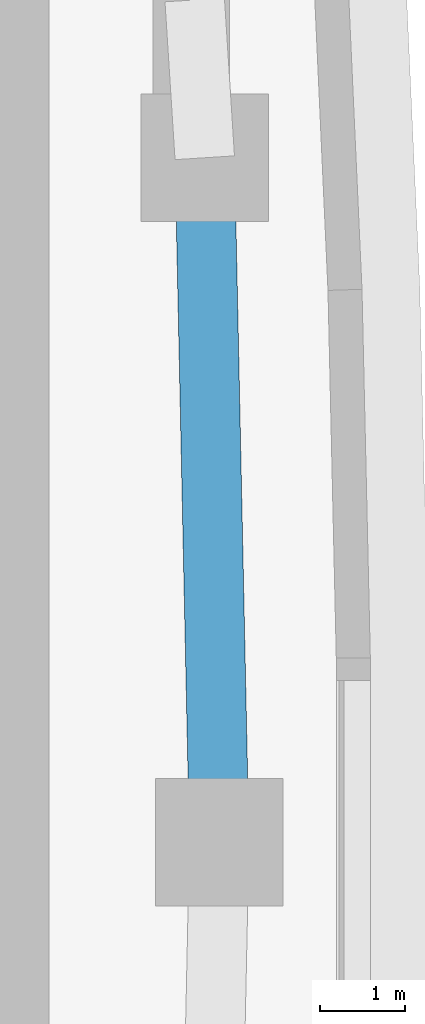
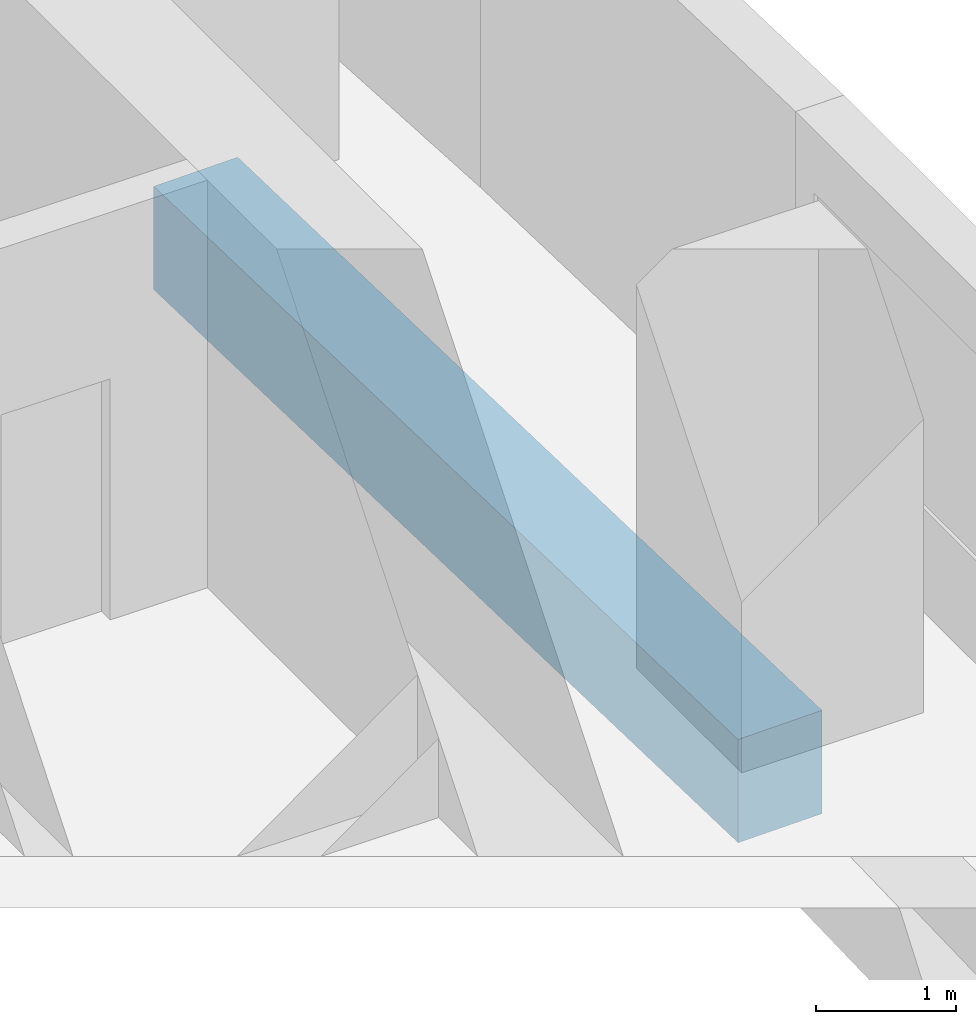
# One storey, part 4 of 17: 1 beam.
"""IFC4 building model written with IfcOpenShell, lengths in metres."""

from ifc_helpers import new_model, si_unit, direction, frame, origin, origin_2d, place, context, subcontext, project, spatial, rectangle, extrude, material, material_profile, profile_set, type_object, element, save


model = new_model("IFC4")

# Units and contexts
model_context = context("Model", 3, precision=1e-05, world=origin(), true_north=direction((0.0, 1.0)))
body_context = subcontext(model_context, "Body", "Model", "MODEL_VIEW")
ifc_project = project(units=[si_unit("LENGTHUNIT", "METRE"), si_unit("AREAUNIT", "SQUARE_METRE"), si_unit("VOLUMEUNIT", "CUBIC_METRE"), si_unit("PLANEANGLEUNIT", "RADIAN"), si_unit("MASSUNIT", "GRAM", prefix="KILO")], contexts=[model_context])

# Site, building, storey
site_placement = place(None, origin())
site = spatial("IfcSite", under=ifc_project, at=site_placement, CompositionType="ELEMENT")
building_placement = place(site_placement, origin())
building = spatial("IfcBuilding", under=site, at=building_placement, Name="Ostrand Prow Hotel Tower", CompositionType="ELEMENT")
storey_placement = place(building_placement, frame((0.0, 0.0, 162.14990234375)))
storey = spatial("IfcBuildingStorey", under=building, at=storey_placement, Name="L40", CompositionType="ELEMENT", Elevation=162.14990234375)

# Beam
ifc_material = material(Name="Concrete C70/85", Category="concrete")
ifc_material_profile = material_profile(ifc_material, rectangle(XDim=0.699951171875, YDim=0.89990234375, at=origin_2d()), Name="RC 700x900")
ifc_profile_set = profile_set([ifc_material_profile], Name="Concrete C70/85")
beam_type = type_object("IfcBeamType", Name="Edge beam 700x900 C70/85", PredefinedType="SPANDREL", material=ifc_profile_set)
beam_placement = place(storey_placement, frame((64.5, 0.0, -0.75), z_axis=(-0.021178217658, 0.999775716397, 0.0), x_axis=(-0.999775716397, -0.021178217658, 0.0)))
element("IfcBeam", 1, at=beam_placement, inside=storey, type_object=beam_type, Name="Edge beam B3-B4", PredefinedType="SPANDREL", context=body_context, shape_type="SweptSolid", body=[
    extrude(rectangle(XDim=0.699951171875, YDim=0.89990234375, at=origin_2d()), origin(), (0.0, 0.0, 1.0), 8.04638671875),
])

save(model, "model.ifc")
